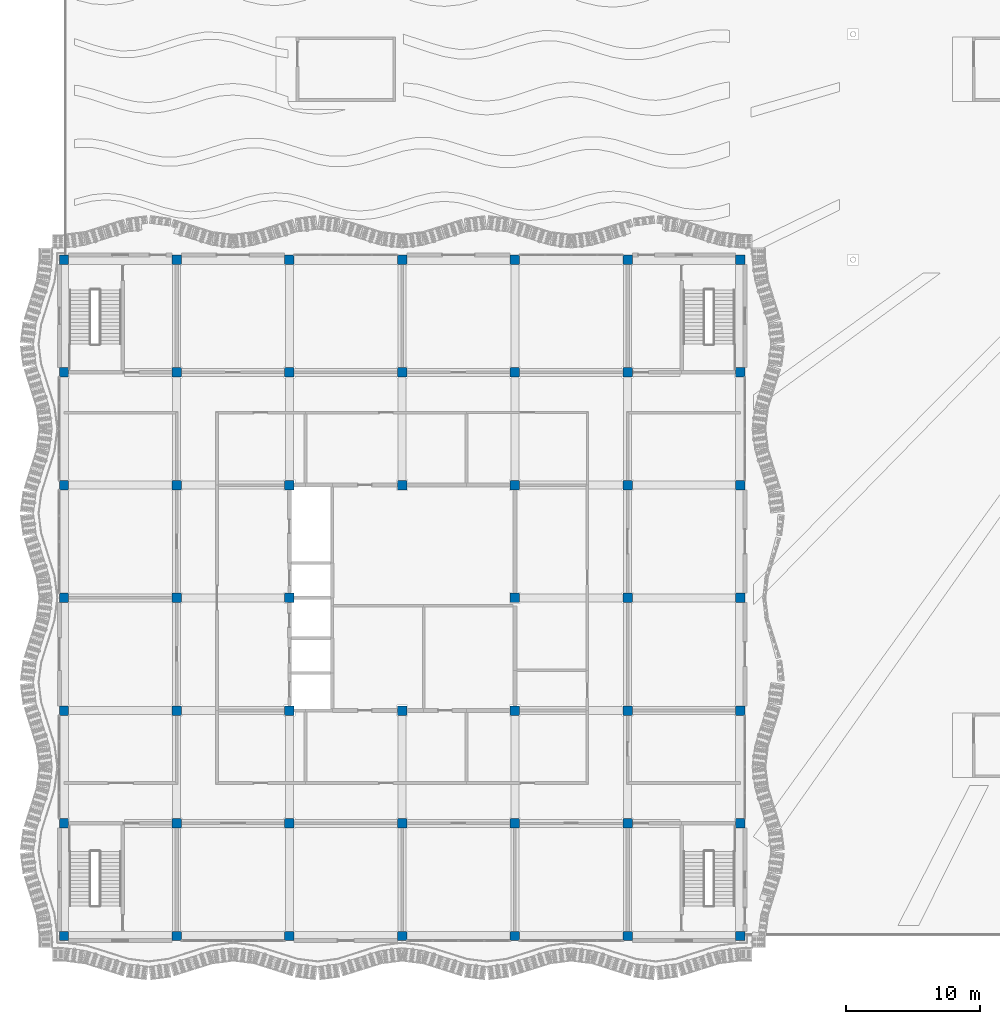
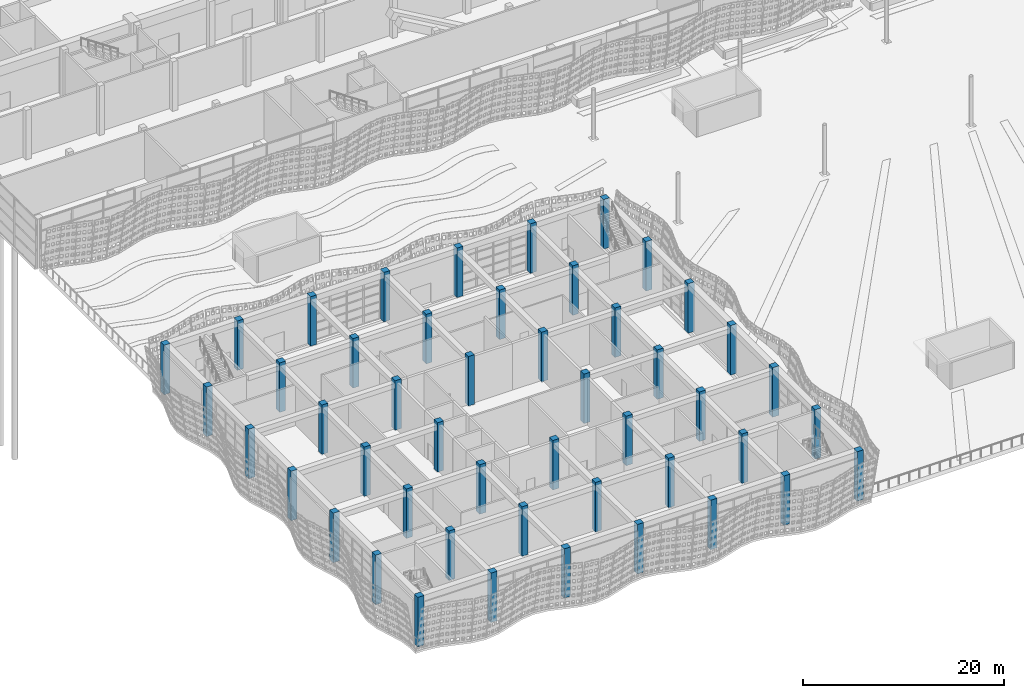
# One storey, part 5 of 210: 48 columns.
"""IFC4 building model written with IfcOpenShell, lengths in metres."""

from ifc_helpers import new_model, si_unit, direction, frame, origin, origin_2d, place, context, subcontext, project, spatial, rectangle, extrude, material, material_profile, profile_set, type_object, element, save


model = new_model("IFC4")

# Units and contexts
model_context = context("Model", 3, precision=1e-05, world=origin(), true_north=direction((0.0, 1.0)))
body_context = subcontext(model_context, "Body", "Model", "MODEL_VIEW")
ifc_project = project(units=[si_unit("LENGTHUNIT", "METRE"), si_unit("AREAUNIT", "SQUARE_METRE"), si_unit("VOLUMEUNIT", "CUBIC_METRE"), si_unit("PLANEANGLEUNIT", "RADIAN"), si_unit("MASSUNIT", "GRAM", prefix="KILO")], contexts=[model_context])

# Site, building, storey
site_placement = place(None, origin())
site = spatial("IfcSite", under=ifc_project, at=site_placement, CompositionType="ELEMENT")
building_placement = place(site_placement, origin())
building = spatial("IfcBuilding", under=site, at=building_placement, Name="Rain Tree Exposition and Congress Centre", CompositionType="ELEMENT")
storey_placement = place(building_placement, origin())
storey = spatial("IfcBuildingStorey", under=building, at=storey_placement, Name="L00", CompositionType="ELEMENT", Elevation=0.0)

# Columns
ifc_material = material(Name="Precast concrete C50/60", Category="concrete")
ifc_material_profile = material_profile(ifc_material, rectangle(XDim=0.699951171875, YDim=0.699951171875, at=origin_2d()), Name="RC 700x700")
ifc_profile_set = profile_set([ifc_material_profile], Name="Precast concrete C50/60")
column_type = type_object("IfcColumnType", Name="Precast column 700x700", PredefinedType="COLUMN", material=ifc_profile_set)
for number, where, z_axis, x_axis, name in (
    (1, (0.0, 0.0, 0.0), (0.0, 0.0, 1.0), (1.0, 0.0, 0.0), "wing/column/L00/00000-00000"),
    (2, (0.0, 8.39990234375, 0.0), (0.0, 0.0, 1.0), (1.0, 0.0, 0.0), "wing/column/L00/00000-08400"),
    (3, (0.0, 16.800048828125, 0.0), (0.0, 0.0, 1.0), (1.0, 0.0, 0.0), "wing/column/L00/00000-16800"),
    (4, (0.0, 25.199951171875, 0.0), (0.0, 0.0, 1.0), (1.0, 0.0, 0.0), "wing/column/L00/00000-25200"),
    (5, (0.0, 33.60009765625, 0.0), (0.0, 0.0, 1.0), (1.0, 0.0, 0.0), "wing/column/L00/00000-33600"),
    (6, (0.0, 42.0, 0.0), (0.0, 0.0, 1.0), (1.0, 0.0, 0.0), "wing/column/L00/00000-42000"),
    (7, (0.0, 50.39990234375, 0.0), (0.0, 0.0, 1.0), (1.0, 0.0, 0.0), "wing/column/L00/00000-50400"),
    (8, (8.39990234375, 0.0, 0.0), (0.0, 0.0, 1.0), (1.0, 0.0, 0.0), "wing/column/L00/08400-00000"),
    (9, (8.39990234375, 8.39990234375, 0.0), (0.0, 0.0, 1.0), (1.0, 0.0, 0.0), "wing/column/L00/08400-08400"),
    (10, (8.39990234375, 16.800048828125, 0.0), (0.0, 0.0, 1.0), (1.0, 0.0, 0.0), "wing/column/L00/08400-16800"),
    (11, (8.39990234375, 25.199951171875, 0.0), (0.0, 0.0, 1.0), (1.0, 0.0, 0.0), "wing/column/L00/08400-25200"),
    (12, (8.39990234375, 33.60009765625, 0.0), (0.0, 0.0, 1.0), (1.0, 0.0, 0.0), "wing/column/L00/08400-33600"),
    (13, (8.39990234375, 42.0, 0.0), (0.0, 0.0, 1.0), (1.0, 0.0, 0.0), "wing/column/L00/08400-42000"),
    (14, (8.39990234375, 50.39990234375, 0.0), (0.0, 0.0, 1.0), (1.0, 0.0, 0.0), "wing/column/L00/08400-50400"),
    (15, (16.800048828125, 0.0, 0.0), (0.0, 0.0, 1.0), (1.0, 0.0, 0.0), "wing/column/L00/16800-00000"),
    (16, (16.800048828125, 8.39990234375, 0.0), (0.0, 0.0, 1.0), (1.0, 0.0, 0.0), "wing/column/L00/16800-08400"),
    (17, (16.800048828125, 16.800048828125, 0.0), (0.0, 0.0, 1.0), (1.0, 0.0, 0.0), "wing/column/L00/16800-16800"),
    (18, (16.800048828125, 25.199951171875, 0.0), (0.0, 0.0, 1.0), (1.0, 0.0, 0.0), "wing/column/L00/16800-25200"),
    (19, (16.800048828125, 33.60009765625, 0.0), (0.0, 0.0, 1.0), (1.0, 0.0, 0.0), "wing/column/L00/16800-33600"),
    (20, (16.800048828125, 42.0, 0.0), (0.0, 0.0, 1.0), (1.0, 0.0, 0.0), "wing/column/L00/16800-42000"),
    (21, (16.800048828125, 50.39990234375, 0.0), (0.0, 0.0, 1.0), (1.0, 0.0, 0.0), "wing/column/L00/16800-50400"),
    (22, (25.199951171875, 0.0, 0.0), (0.0, 0.0, 1.0), (1.0, 0.0, 0.0), "wing/column/L00/25200-00000"),
    (23, (25.199951171875, 8.39990234375, 0.0), (0.0, 0.0, 1.0), (1.0, 0.0, 0.0), "wing/column/L00/25200-08400"),
    (24, (25.199951171875, 16.800048828125, 0.0), (0.0, 0.0, 1.0), (1.0, 0.0, 0.0), "wing/column/L00/25200-16800"),
    (25, (25.199951171875, 33.60009765625, 0.0), (0.0, 0.0, 1.0), (1.0, 0.0, 0.0), "wing/column/L00/25200-33600"),
    (26, (25.199951171875, 42.0, 0.0), (0.0, 0.0, 1.0), (1.0, 0.0, 0.0), "wing/column/L00/25200-42000"),
    (27, (25.199951171875, 50.39990234375, 0.0), (0.0, 0.0, 1.0), (1.0, 0.0, 0.0), "wing/column/L00/25200-50400"),
    (28, (33.60009765625, 0.0, 0.0), (0.0, 0.0, 1.0), (1.0, 0.0, 0.0), "wing/column/L00/33600-00000"),
    (29, (33.60009765625, 8.39990234375, 0.0), (0.0, 0.0, 1.0), (1.0, 0.0, 0.0), "wing/column/L00/33600-08400"),
    (30, (33.60009765625, 16.800048828125, 0.0), (0.0, 0.0, 1.0), (1.0, 0.0, 0.0), "wing/column/L00/33600-16800"),
    (31, (33.60009765625, 25.199951171875, 0.0), (0.0, 0.0, 1.0), (1.0, 0.0, 0.0), "wing/column/L00/33600-25200"),
    (32, (33.60009765625, 33.60009765625, 0.0), (0.0, 0.0, 1.0), (1.0, 0.0, 0.0), "wing/column/L00/33600-33600"),
    (33, (33.60009765625, 42.0, 0.0), (0.0, 0.0, 1.0), (1.0, 0.0, 0.0), "wing/column/L00/33600-42000"),
    (34, (33.60009765625, 50.39990234375, 0.0), (0.0, 0.0, 1.0), (1.0, 0.0, 0.0), "wing/column/L00/33600-50400"),
    (35, (42.0, 0.0, 0.0), (0.0, 0.0, 1.0), (1.0, 0.0, 0.0), "wing/column/L00/42000-00000"),
    (36, (42.0, 8.39990234375, 0.0), (0.0, 0.0, 1.0), (1.0, 0.0, 0.0), "wing/column/L00/42000-08400"),
    (37, (42.0, 16.800048828125, 0.0), (0.0, 0.0, 1.0), (1.0, 0.0, 0.0), "wing/column/L00/42000-16800"),
    (38, (42.0, 25.199951171875, 0.0), (0.0, 0.0, 1.0), (1.0, 0.0, 0.0), "wing/column/L00/42000-25200"),
    (39, (42.0, 33.60009765625, 0.0), (0.0, 0.0, 1.0), (1.0, 0.0, 0.0), "wing/column/L00/42000-33600"),
    (40, (42.0, 42.0, 0.0), (0.0, 0.0, 1.0), (1.0, 0.0, 0.0), "wing/column/L00/42000-42000"),
    (41, (42.0, 50.39990234375, 0.0), (0.0, 0.0, 1.0), (1.0, 0.0, 0.0), "wing/column/L00/42000-50400"),
    (42, (50.39990234375, 0.0, 0.0), (0.0, 0.0, 1.0), (1.0, 0.0, 0.0), "wing/column/L00/50400-00000"),
    (43, (50.39990234375, 8.39990234375, 0.0), (0.0, 0.0, 1.0), (1.0, 0.0, 0.0), "wing/column/L00/50400-08400"),
    (44, (50.39990234375, 16.800048828125, 0.0), (0.0, 0.0, 1.0), (1.0, 0.0, 0.0), "wing/column/L00/50400-16800"),
    (45, (50.39990234375, 25.199951171875, 0.0), (0.0, 0.0, 1.0), (1.0, 0.0, 0.0), "wing/column/L00/50400-25200"),
    (46, (50.39990234375, 33.60009765625, 0.0), (0.0, 0.0, 1.0), (1.0, 0.0, 0.0), "wing/column/L00/50400-33600"),
    (47, (50.39990234375, 42.0, 0.0), (0.0, 0.0, 1.0), (1.0, 0.0, 0.0), "wing/column/L00/50400-42000"),
    (48, (50.39990234375, 50.39990234375, 0.0), (0.0, 0.0, 1.0), (1.0, 0.0, 0.0), "wing/column/L00/50400-50400"),
):
    element("IfcColumn", number, at=place(storey_placement, frame(where, z_axis=z_axis, x_axis=x_axis)), inside=storey, type_object=column_type, Name=name, PredefinedType="COLUMN", context=body_context, shape_type="SweptSolid", body=[
        extrude(rectangle(XDim=0.699951171875, YDim=0.699951171875, at=origin_2d()), origin(), (0.0, 0.0, 1.0), 6.0),
    ])

save(model, "model.ifc")
